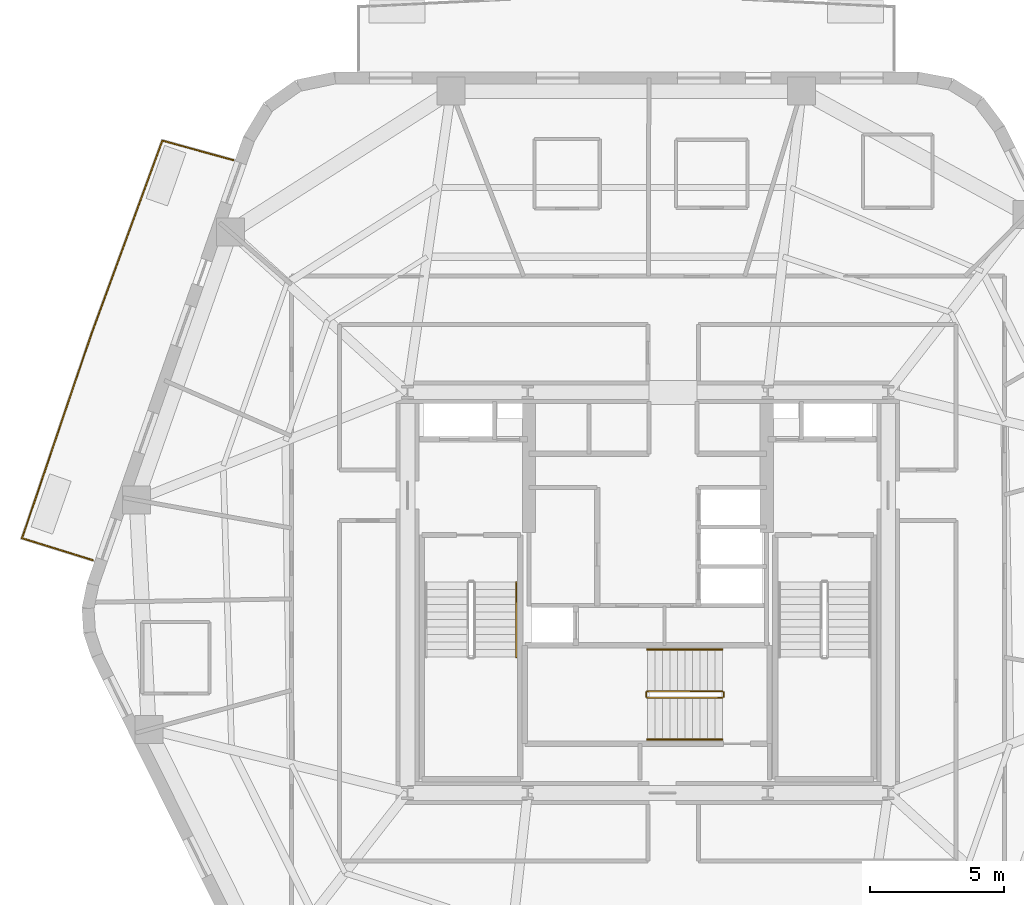
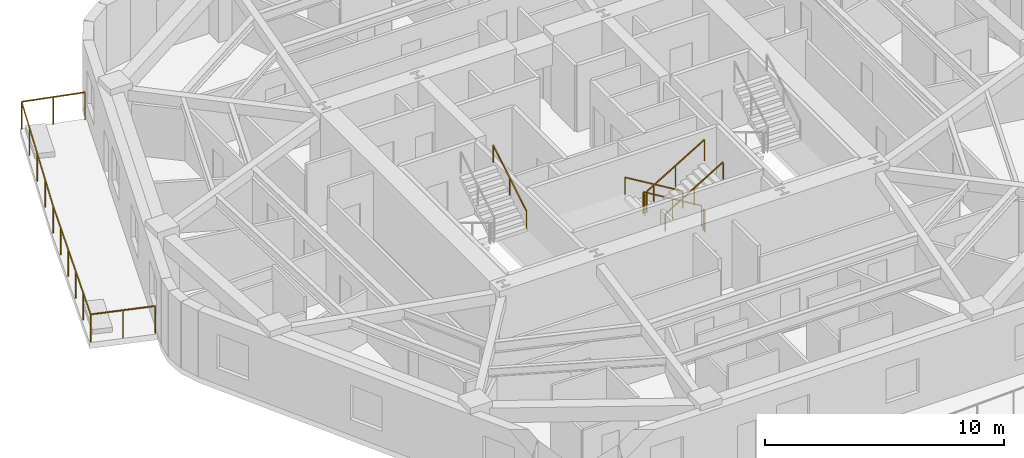
# One storey, part 9 of 11: 8 railings.
"""IFC4 building model written with IfcOpenShell, lengths in metres."""

from ifc_helpers import new_model, si_unit, direction, frame, origin, origin_2d, place, context, subcontext, project, spatial, rectangle, extrude, material, layer, layer_set, type_object, element, save


model = new_model("IFC4")

# Units and contexts
model_context = context("Model", 3, precision=1e-05, world=origin(), true_north=direction((0.0, 1.0)))
body_context = subcontext(model_context, "Body", "Model", "MODEL_VIEW")
ifc_project = project(units=[si_unit("LENGTHUNIT", "METRE"), si_unit("AREAUNIT", "SQUARE_METRE"), si_unit("VOLUMEUNIT", "CUBIC_METRE"), si_unit("PLANEANGLEUNIT", "RADIAN"), si_unit("MASSUNIT", "GRAM", prefix="KILO")], contexts=[model_context])

# Site, building, storey
site_placement = place(None, origin())
site = spatial("IfcSite", under=ifc_project, at=site_placement, CompositionType="ELEMENT")
building_placement = place(site_placement, origin())
building = spatial("IfcBuilding", under=site, at=building_placement, Name="Kilnhurst Terrace Hotel", CompositionType="ELEMENT")
storey_placement = place(building_placement, frame((0.0, 0.0, 166.5)))
storey = spatial("IfcBuildingStorey", under=building, at=storey_placement, Name="L41", CompositionType="ELEMENT", Elevation=166.5)

# Railings
ifc_material_1 = material(Name="Laminated SentryGlas and Stainless Steel AISI 316L Balustrade", Category="steel")
ifc_layer_1 = layer(ifc_material_1, 0.070068359375, Name="Laminated SentryGlas and Stainless Steel AISI 316L Balustrade")
ifc_layer_set_1 = layer_set([ifc_layer_1], Name="Laminated SentryGlas and Stainless Steel AISI 316L Balustrade")
railing_type_1 = type_object("IfcRailingType", Name="RLG-BAL-1420", PredefinedType="BALUSTRADE", material=ifc_layer_set_1)
railing_1_placement = place(storey_placement, frame((-20.783935546875, 1.215087890625, 0.0)))
element("IfcRailing", 1, at=railing_1_placement, inside=storey, type_object=railing_type_1, Name="L41 Exterior Terrace Guardrail BAL-L2B.1", PredefinedType="BALUSTRADE", context=body_context, shape_type="SweptSolid", body=[
    extrude(rectangle(XDim=0.048095703125, YDim=0.048095703125, at=origin_2d()), frame((0.0, 0.0, 1.39599609375), z_axis=(-0.954948187333, 0.29677257203, 0.0), x_axis=(-0.29677257203, -0.954948187333, 0.0)), (0.0, 0.0, 1.0), 2.7763671875),
    extrude(rectangle(XDim=0.048095703125, YDim=0.048095703125, at=origin_2d()), frame((-2.6513671875, 0.823974609375, 1.39599609375), z_axis=(0.321641701575, 0.946861455445, 0.0), x_axis=(-0.946861455445, 0.321641701575, 0.0)), (0.0, 0.0, 1.0), 8.082275390625),
    extrude(rectangle(XDim=0.048095703125, YDim=0.048095703125, at=origin_2d()), frame((-0.0517578125, 8.476806640625, 1.39599609375), z_axis=(0.344704120874, 0.938711387516, 0.0), x_axis=(-0.938711387516, 0.344704120874, 0.0)), (0.0, 0.0, 1.0), 7.7080078125),
    extrude(rectangle(XDim=0.048095703125, YDim=0.048095703125, at=origin_2d()), frame((2.605224609375, 15.71240234375, 1.39599609375), z_axis=(0.964239560757, -0.265032204593, 0.0), x_axis=(0.265032204593, 0.964239560757, 0.0)), (0.0, 0.0, 1.0), 2.739501953125),
    extrude(rectangle(XDim=0.0419921875, YDim=0.0419921875, at=origin_2d()), origin(), (0.0, 0.0, 1.0), 1.371826171875),
    extrude(rectangle(XDim=0.0419921875, YDim=0.0419921875, at=origin_2d()), frame((-1.32568359375, 0.412109375, 0.0)), (0.0, 0.0, 1.0), 1.371826171875),
    extrude(rectangle(XDim=0.0419921875, YDim=0.0419921875, at=origin_2d()), frame((-2.6513671875, 0.823974609375, 0.0)), (0.0, 0.0, 1.0), 1.371826171875),
    extrude(rectangle(XDim=0.0419921875, YDim=0.0419921875, at=origin_2d()), frame((-2.13134765625, 2.3544921875, 0.0)), (0.0, 0.0, 1.0), 1.371826171875),
    extrude(rectangle(XDim=0.0419921875, YDim=0.0419921875, at=origin_2d()), frame((-1.611572265625, 3.885009765625, 0.0)), (0.0, 0.0, 1.0), 1.371826171875),
    extrude(rectangle(XDim=0.0419921875, YDim=0.0419921875, at=origin_2d()), frame((-1.091552734375, 5.415771484375, 0.0)), (0.0, 0.0, 1.0), 1.371826171875),
    extrude(rectangle(XDim=0.0419921875, YDim=0.0419921875, at=origin_2d()), frame((-0.57177734375, 6.9462890625, 0.0)), (0.0, 0.0, 1.0), 1.371826171875),
    extrude(rectangle(XDim=0.0419921875, YDim=0.0419921875, at=origin_2d()), frame((-0.0517578125, 8.476806640625, 0.0)), (0.0, 0.0, 1.0), 1.371826171875),
    extrude(rectangle(XDim=0.0419921875, YDim=0.0419921875, at=origin_2d()), frame((0.612548828125, 10.28564453125, 0.0)), (0.0, 0.0, 1.0), 1.371826171875),
    extrude(rectangle(XDim=0.0419921875, YDim=0.0419921875, at=origin_2d()), frame((1.27685546875, 12.0947265625, 0.0)), (0.0, 0.0, 1.0), 1.371826171875),
    extrude(rectangle(XDim=0.0419921875, YDim=0.0419921875, at=origin_2d()), frame((1.94091796875, 13.903564453125, 0.0)), (0.0, 0.0, 1.0), 1.371826171875),
    extrude(rectangle(XDim=0.0419921875, YDim=0.0419921875, at=origin_2d()), frame((2.605224609375, 15.71240234375, 0.0)), (0.0, 0.0, 1.0), 1.371826171875),
    extrude(rectangle(XDim=0.0419921875, YDim=0.0419921875, at=origin_2d()), frame((3.926025390625, 15.349365234375, 0.0)), (0.0, 0.0, 1.0), 1.371826171875),
    extrude(rectangle(XDim=0.0419921875, YDim=0.0419921875, at=origin_2d()), frame((5.246826171875, 14.986328125, 0.0)), (0.0, 0.0, 1.0), 1.371826171875),
])
ifc_material_2 = material(Name="Powder-Coated Steel ASTM A500 Grade B", Category="steel")
ifc_layer_2 = layer(ifc_material_2, 0.050048828125, Name="Powder-Coated Steel ASTM A500 Grade B")
ifc_layer_set_2 = layer_set([ifc_layer_2], Name="Powder-Coated Steel ASTM A500 Grade B")
railing_type_2 = type_object("IfcRailingType", Name="RLG-ST-GRD-1100", PredefinedType="GUARDRAIL", material=ifc_layer_set_2)
railing_2_placement = place(storey_placement, frame((2.7900390625, -3.68994140625, 0.168212890625)))
element("IfcRailing", 2, at=railing_2_placement, inside=storey, type_object=railing_type_2, Name="L41 ST-3 stair guard 1", PredefinedType="GUARDRAIL", context=body_context, shape_type="SweptSolid", body=[
    extrude(rectangle(XDim=0.048095703125, YDim=0.048095703125, at=origin_2d()), frame((0.0, 0.0, 1.076171875), z_axis=(-0.857242210791, 0.0, 0.514913383045), x_axis=(0.0, -1.0, 0.0)), (0.0, 0.0, 1.0), 3.266357421875),
    extrude(rectangle(XDim=0.0419921875, YDim=0.0419921875, at=origin_2d()), origin(), (0.0, 0.0, 1.0), 1.052001953125),
    extrude(rectangle(XDim=0.0419921875, YDim=0.0419921875, at=origin_2d()), frame((-1.39990234375, 0.0, 0.8408203125)), (0.0, 0.0, 1.0), 1.052001953125),
    extrude(rectangle(XDim=0.0419921875, YDim=0.0419921875, at=origin_2d()), frame((-2.800048828125, 0.0, 1.681884765625)), (0.0, 0.0, 1.0), 1.052001953125),
])
railing_3_placement = place(storey_placement, frame((-0.06005859375, -3.739990234375, 1.85009765625)))
element("IfcRailing", 3, at=railing_3_placement, inside=storey, type_object=railing_type_2, Name="L41 ST-3 stair guard 2", PredefinedType="GUARDRAIL", context=body_context, shape_type="SweptSolid", body=[
    extrude(rectangle(XDim=0.048095703125, YDim=0.048095703125, at=origin_2d()), frame((0.0, 0.0, 1.076171875), z_axis=(0.0, -1.0, 0.0), x_axis=(1.0, 0.0, 0.0)), (0.0, 0.0, 1.0), 0.14990234375),
    extrude(rectangle(XDim=0.0419921875, YDim=0.0419921875, at=origin_2d()), origin(), (0.0, 0.0, 1.0), 1.052001953125),
    extrude(rectangle(XDim=0.0419921875, YDim=0.0419921875, at=origin_2d()), frame((0.0, -0.14990234375, 0.0)), (0.0, 0.0, 1.0), 1.052001953125),
])
railing_4_placement = place(storey_placement, frame((-0.010009765625, -3.93994140625, 2.01806640625)))
element("IfcRailing", 4, at=railing_4_placement, inside=storey, type_object=railing_type_2, Name="L41 ST-3 stair guard 3", PredefinedType="GUARDRAIL", context=body_context, shape_type="SweptSolid", body=[
    extrude(rectangle(XDim=0.048095703125, YDim=0.048095703125, at=origin_2d()), frame((0.0, 0.0, 1.076171875), z_axis=(0.857242210791, 0.0, 0.514913383045), x_axis=(0.0, 1.0, 0.0)), (0.0, 0.0, 1.0), 3.266357421875),
    extrude(rectangle(XDim=0.0419921875, YDim=0.0419921875, at=origin_2d()), origin(), (0.0, 0.0, 1.0), 1.052001953125),
    extrude(rectangle(XDim=0.0419921875, YDim=0.0419921875, at=origin_2d()), frame((1.39990234375, 0.0, 0.8408203125)), (0.0, 0.0, 1.0), 1.052001953125),
    extrude(rectangle(XDim=0.0419921875, YDim=0.0419921875, at=origin_2d()), frame((2.800048828125, 0.0, 1.681884765625)), (0.0, 0.0, 1.0), 1.052001953125),
])
railing_5_placement = place(storey_placement, frame((2.840087890625, -3.739990234375, 0.0)))
element("IfcRailing", 5, at=railing_5_placement, inside=storey, type_object=railing_type_2, Name="L41 ST-3 stair guard 4", PredefinedType="GUARDRAIL", context=body_context, shape_type="SweptSolid", body=[
    extrude(rectangle(XDim=0.048095703125, YDim=0.048095703125, at=origin_2d()), frame((0.0, 0.0, 1.076171875), z_axis=(0.0, -1.0, 0.0), x_axis=(1.0, 0.0, 0.0)), (0.0, 0.0, 1.0), 0.14990234375),
    extrude(rectangle(XDim=0.0419921875, YDim=0.0419921875, at=origin_2d()), origin(), (0.0, 0.0, 1.0), 1.052001953125),
    extrude(rectangle(XDim=0.0419921875, YDim=0.0419921875, at=origin_2d()), frame((0.0, -0.14990234375, 0.0)), (0.0, 0.0, 1.0), 1.052001953125),
])
ifc_material_3 = material(Name="Brushed Stainless Steel AISI 304", Category="steel")
ifc_layer_3 = layer(ifc_material_3, 0.048095703125, Name="Brushed Stainless Steel AISI 304")
ifc_layer_set_3 = layer_set([ifc_layer_3], Name="Brushed Stainless Steel AISI 304")
railing_type_3 = type_object("IfcRailingType", Name="RLG-ST-HRL-900", PredefinedType="HANDRAIL", material=ifc_layer_set_3)
railing_6_placement = place(storey_placement, frame((-4.929931640625, -2.409912109375, 2.01806640625)))
element("IfcRailing", 6, at=railing_6_placement, inside=storey, type_object=railing_type_3, Name="L41 ST-1 stair handrail 2", PredefinedType="HANDRAIL", context=body_context, shape_type="SweptSolid", body=[
    extrude(rectangle(XDim=0.048095703125, YDim=0.048095703125, at=origin_2d()), frame((0.0, 0.0, 0.8759765625), z_axis=(0.0, 0.857222391501, 0.514946377315), x_axis=(-1.0, 0.0, 0.0)), (0.0, 0.0, 1.0), 3.26611328125),
    extrude(rectangle(XDim=0.0419921875, YDim=0.0419921875, at=origin_2d()), origin(), (0.0, 0.0, 1.0), 0.851806640625),
    extrude(rectangle(XDim=0.0419921875, YDim=0.0419921875, at=origin_2d()), frame((0.0, 1.39990234375, 0.8408203125)), (0.0, 0.0, 1.0), 0.851806640625),
    extrude(rectangle(XDim=0.0419921875, YDim=0.0419921875, at=origin_2d()), frame((0.0, 2.7998046875, 1.681884765625)), (0.0, 0.0, 1.0), 0.851806640625),
])
railing_7_placement = place(storey_placement, frame((2.7900390625, -2.1298828125, 0.168212890625)))
element("IfcRailing", 7, at=railing_7_placement, inside=storey, type_object=railing_type_3, Name="L41 ST-3 stair handrail 1", PredefinedType="HANDRAIL", context=body_context, shape_type="SweptSolid", body=[
    extrude(rectangle(XDim=0.048095703125, YDim=0.048095703125, at=origin_2d()), frame((0.0, 0.0, 0.8759765625), z_axis=(-0.857242210791, 0.0, 0.514913383045), x_axis=(0.0, -1.0, 0.0)), (0.0, 0.0, 1.0), 3.266357421875),
    extrude(rectangle(XDim=0.0419921875, YDim=0.0419921875, at=origin_2d()), origin(), (0.0, 0.0, 1.0), 0.851806640625),
    extrude(rectangle(XDim=0.0419921875, YDim=0.0419921875, at=origin_2d()), frame((-1.39990234375, 0.0, 0.8408203125)), (0.0, 0.0, 1.0), 0.851806640625),
    extrude(rectangle(XDim=0.0419921875, YDim=0.0419921875, at=origin_2d()), frame((-2.800048828125, 0.0, 1.681884765625)), (0.0, 0.0, 1.0), 0.851806640625),
])
railing_8_placement = place(storey_placement, frame((-0.010009765625, -5.5, 2.01806640625)))
element("IfcRailing", 8, at=railing_8_placement, inside=storey, type_object=railing_type_3, Name="L41 ST-3 stair handrail 2", PredefinedType="HANDRAIL", context=body_context, shape_type="SweptSolid", body=[
    extrude(rectangle(XDim=0.048095703125, YDim=0.048095703125, at=origin_2d()), frame((0.0, 0.0, 0.8759765625), z_axis=(0.857242210791, 0.0, 0.514913383045), x_axis=(0.0, 1.0, 0.0)), (0.0, 0.0, 1.0), 3.266357421875),
    extrude(rectangle(XDim=0.0419921875, YDim=0.0419921875, at=origin_2d()), origin(), (0.0, 0.0, 1.0), 0.851806640625),
    extrude(rectangle(XDim=0.0419921875, YDim=0.0419921875, at=origin_2d()), frame((1.39990234375, 0.0, 0.8408203125)), (0.0, 0.0, 1.0), 0.851806640625),
    extrude(rectangle(XDim=0.0419921875, YDim=0.0419921875, at=origin_2d()), frame((2.800048828125, 0.0, 1.681884765625)), (0.0, 0.0, 1.0), 0.851806640625),
])

save(model, "model.ifc")
